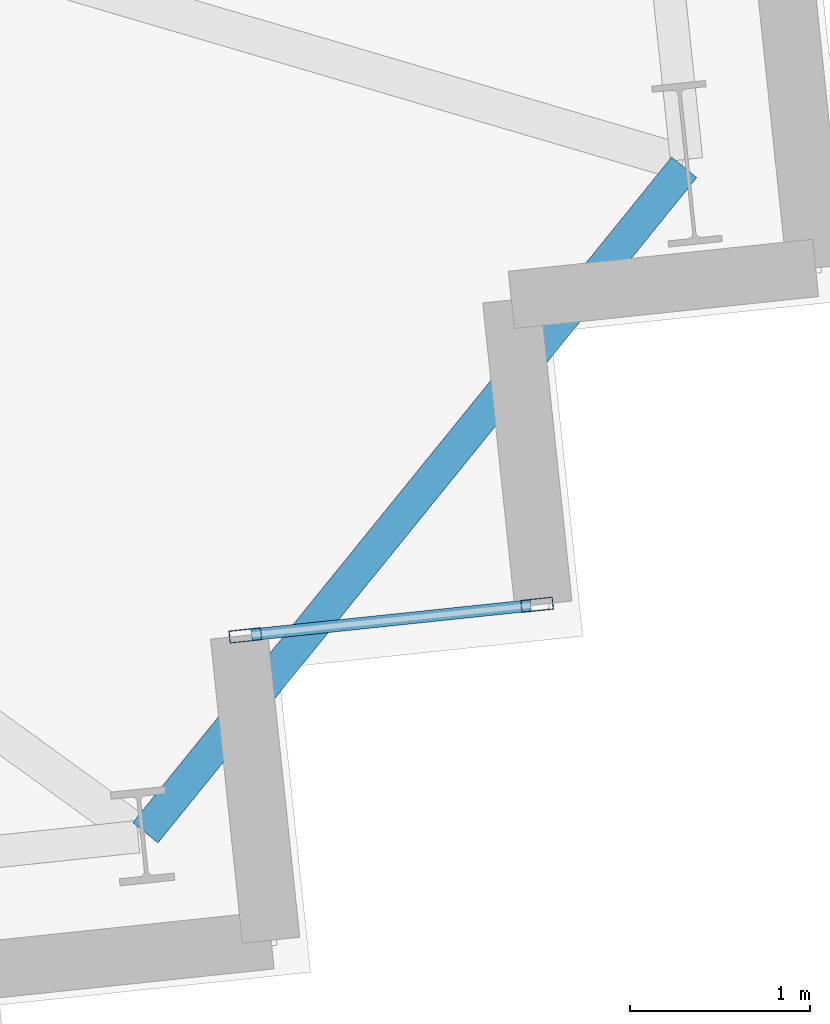
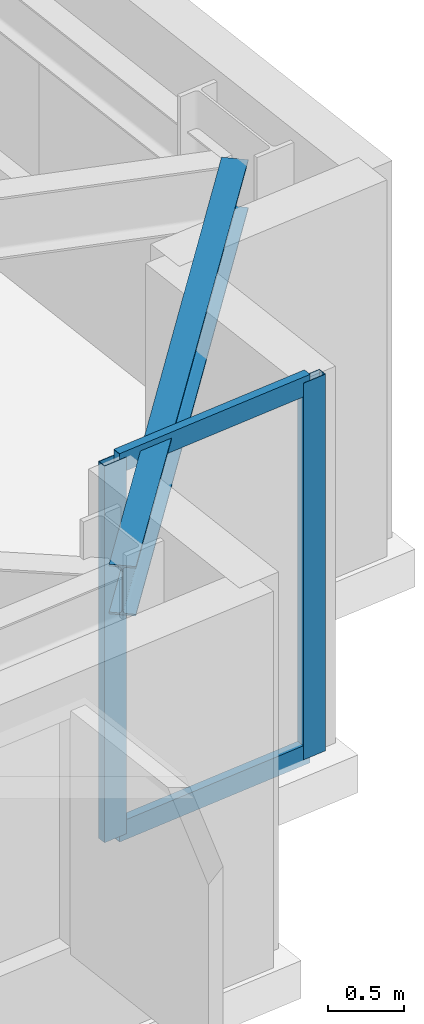
# One storey, part 10 of 23: 4 members, 1 beam, 1 element without a shape of its own.
"""IFC4 building model written with IfcOpenShell, lengths in metres."""

import ifcopenshell
import ifcopenshell.guid

model = None  # the IFC model being written
_history = None  # IfcOwnerHistory: only IFC2X3 demands one
_inside = {}  # id of a spatial element -> (the spatial element, [elements in it])
_under = {}  # id of a project, library or spatial element -> (it, [spatial elements below it])
_declared = {}  # id of a project -> (the project, [libraries it declares])
_typed = {}  # id of a type object -> (the type object, [elements of that type])
_made_of = {}  # id of a material, layer set ... -> (it, [elements and type objects made of it])


def new_model(schema):
    """Start an empty IFC model of exactly this schema.

    Asked for "IFC4X3", IfcOpenShell would pick the latest addendum, in which some entities
    have other attributes; the version numbers below select the first issue.
    IFC2X3 requires an IfcOwnerHistory on every rooted entity: one is made here for all.
    """
    global model, _history
    if schema == "IFC4X3":
        model = ifcopenshell.file(schema_version=(4, 3, 0, 0))
    else:
        model = ifcopenshell.file(schema=schema)
    _inside.clear()
    _under.clear()
    _declared.clear()
    _typed.clear()
    _made_of.clear()
    _history = None
    if model.schema == "IFC2X3":
        org = make("IfcOrganization", Name="unknown")
        user = make(
            "IfcPersonAndOrganization",
            ThePerson=make("IfcPerson", FamilyName="unknown"),
            TheOrganization=org,
        )
        app = make(
            "IfcApplication",
            ApplicationDeveloper=org,
            Version="unknown",
            ApplicationFullName="unknown",
            ApplicationIdentifier="unknown",
        )
        _history = make(
            "IfcOwnerHistory",
            OwningUser=user,
            OwningApplication=app,
            ChangeAction="ADDED",
            CreationDate=0,
        )
    return model


def make(cls, **values):
    """One entity of the class cls with the attributes given. An attribute that is None is left unset."""
    return model.create_entity(
        cls, **{name: value for name, value in values.items() if value is not None}
    )


def rooted(cls, **values):
    """An entity with a GlobalId (a new one), such as an element, a storey or a relation."""
    return make(cls, GlobalId=ifcopenshell.guid.new(), OwnerHistory=_history, **values)


def si_unit(unit_type, name, prefix=None):
    """IfcSIUnit, for example si_unit("LENGTHUNIT", "METRE", prefix="MILLI")."""
    return make("IfcSIUnit", UnitType=unit_type, Prefix=prefix, Name=name)


def assignment(units):
    """IfcUnitAssignment: the units of a project."""
    return None if units is None else make("IfcUnitAssignment", Units=units)


def point(xyz):
    """IfcCartesianPoint."""
    return None if xyz is None else make("IfcCartesianPoint", Coordinates=xyz)


def direction(xyz):
    """IfcDirection."""
    return None if xyz is None else make("IfcDirection", DirectionRatios=xyz)


def frame(location, z_axis=None, x_axis=None):
    """IfcAxis2Placement3D, a coordinate frame: its origin and axes. An axis left out is left unset."""
    return make(
        "IfcAxis2Placement3D",
        Location=point(location),
        Axis=direction(z_axis),
        RefDirection=direction(x_axis),
    )


def frame_2d(location, x_axis=None):
    """IfcAxis2Placement2D, a coordinate frame in the plane: its origin and x axis."""
    return make(
        "IfcAxis2Placement2D", Location=point(location), RefDirection=direction(x_axis)
    )


def origin():
    """The frame at (0, 0, 0) with its axes left unset."""
    return frame((0.0, 0.0, 0.0))


def origin_2d():
    """The frame at (0, 0) in the plane with its x axis left unset."""
    return frame_2d((0.0, 0.0))


def place(relative_to, where):
    """IfcLocalPlacement: puts the frame where relative to a parent placement (None: the world)."""
    return make(
        "IfcLocalPlacement", PlacementRelTo=relative_to, RelativePlacement=where
    )


def context(
    kind, dimensions, precision=None, world=None, true_north=None, identifier=None
):
    """IfcGeometricRepresentationContext, for example the 3D "Model" context."""
    return make(
        "IfcGeometricRepresentationContext",
        ContextIdentifier=identifier,
        ContextType=kind,
        CoordinateSpaceDimension=dimensions,
        Precision=precision,
        WorldCoordinateSystem=world,
        TrueNorth=true_north,
    )


def subcontext(parent, identifier, kind, view, scale=None):
    """IfcGeometricRepresentationSubContext, for example "Body" below "Model"."""
    return make(
        "IfcGeometricRepresentationSubContext",
        ContextIdentifier=identifier,
        ContextType=kind,
        ParentContext=parent,
        TargetScale=scale,
        TargetView=view,
    )


def project(units=None, contexts=None):
    """IfcProject with its units and contexts."""
    return rooted(
        "IfcProject",
        Name="project",
        RepresentationContexts=contexts,
        UnitsInContext=assignment(units),
    )


def spatial(cls, under=None, at=None, **own):
    """A site, building, storey or space (cls), placed at a placement, below another one or the project."""
    s = rooted(cls, ObjectPlacement=at, **own)
    if under is not None:
        _under.setdefault(under.id(), (under, []))[1].append(s)
    return s


def profile(cls, at=None, kind="AREA", **sizes):
    """A parametric profile (cls). Its sizes go by their IFC names, for example OverallWidth=200.0."""
    return make(cls, ProfileType=kind, Position=at, **sizes)


def hollow_rectangle(**sizes):
    """IfcRectangleHollowProfileDef."""
    return profile("IfcRectangleHollowProfileDef", **sizes)


def i_section(**sizes):
    """IfcIShapeProfileDef."""
    return profile("IfcIShapeProfileDef", **sizes)


def extrude(swept, where, along, depth):
    """IfcExtrudedAreaSolid: the profile swept, set in the frame where, extruded along a direction by depth."""
    return make(
        "IfcExtrudedAreaSolid",
        SweptArea=swept,
        Position=where,
        ExtrudedDirection=direction(along),
        Depth=depth,
    )


def shape(context_of_items, identifier, shape_type, items):
    """IfcShapeRepresentation: the items that make up one representation, for example the "Body"."""
    return make(
        "IfcShapeRepresentation",
        ContextOfItems=context_of_items,
        RepresentationIdentifier=identifier,
        RepresentationType=shape_type,
        Items=items,
    )


def material(Name=None, Category=None):
    """IfcMaterial."""
    return make("IfcMaterial", Name=Name, Category=Category)


def layer(
    of_material, thickness, ventilated=None, Name=None, Category=None, Priority=None
):
    """IfcMaterialLayer: one layer of a wall or slab, of a material (None: an air gap)."""
    return make(
        "IfcMaterialLayer",
        Material=of_material,
        LayerThickness=thickness,
        IsVentilated=ventilated,
        Name=Name,
        Category=Category,
        Priority=Priority,
    )


def layer_set(layers, Name=None):
    """IfcMaterialLayerSet."""
    return make("IfcMaterialLayerSet", MaterialLayers=layers, LayerSetName=Name)


def material_profile(
    of_material, cross_section, Name=None, Category=None, Priority=None
):
    """IfcMaterialProfile: a cross section and its material."""
    return make(
        "IfcMaterialProfile",
        Name=Name,
        Material=of_material,
        Profile=cross_section,
        Priority=Priority,
        Category=Category,
    )


def profile_set(profiles, Name=None, composite=None):
    """IfcMaterialProfileSet."""
    return make(
        "IfcMaterialProfileSet",
        Name=Name,
        MaterialProfiles=profiles,
        CompositeProfile=composite,
    )


def made_of(thing, what):
    """Note that an element or type object is made of a material, layer set ...; save() writes the relation."""
    if what is not None:
        _made_of.setdefault(what.id(), (what, []))[1].append(thing)
    return thing


def type_object(cls, material=None, **own):
    """A type object (cls), such as IfcWallType, which elements share."""
    return made_of(rooted(cls, **own), material)


def element(
    cls,
    number,
    at=None,
    inside=None,
    cuts=None,
    type_object=None,
    material=None,
    context=None,
    identifier="Body",
    shape_type=None,
    held_by="IfcProductDefinitionShape",
    body=None,
    shapes=None,
    **own,
):
    """One element of the class cls, such as IfcWall. Its Tag is "e" and its number.

    at: its placement. inside: the storey or other place that contains it. cuts: it is an
    opening in that element (IfcRelVoidsElement). A single representation is given by context,
    identifier, shape_type and body (its items); several are given by shapes. held_by: the class
    of the entity that holds the representations. save() writes the other relations.
    """
    e = rooted(cls, Tag="e%d" % number, ObjectPlacement=at, **own)
    if body is not None:
        shapes = [shape(context, identifier, shape_type, body)]
    if shapes is not None:
        e.Representation = make(held_by, Representations=shapes)
    if inside is not None:
        _inside.setdefault(inside.id(), (inside, []))[1].append(e)
    if cuts is not None:
        rooted(
            "IfcRelVoidsElement", RelatingBuildingElement=cuts, RelatedOpeningElement=e
        )
    if type_object is not None:
        _typed.setdefault(type_object.id(), (type_object, []))[1].append(e)
    return made_of(e, material)


def aggregate(whole, parts):
    """IfcRelAggregates: a whole, such as a stair, and the parts it consists of."""
    return rooted("IfcRelAggregates", RelatingObject=whole, RelatedObjects=parts)


def save(model, path):
    """Write the relations noted so far, then the file.

    IfcRelAggregates (storeys below a building ...), IfcRelContainedInSpatialStructure (elements
    in a storey), IfcRelDefinesByType, IfcRelAssociatesMaterial and IfcRelDeclares: one each for
    every whole, place, type object, material and project.
    """
    for whole, parts in _under.values():
        aggregate(whole, parts)
    for where, things in _inside.values():
        rooted(
            "IfcRelContainedInSpatialStructure",
            RelatedElements=things,
            RelatingStructure=where,
        )
    for kind, things in _typed.values():
        rooted("IfcRelDefinesByType", RelatedObjects=things, RelatingType=kind)
    for what, things in _made_of.values():
        rooted("IfcRelAssociatesMaterial", RelatedObjects=things, RelatingMaterial=what)
    for by, libraries in _declared.values():
        rooted("IfcRelDeclares", RelatingContext=by, RelatedDefinitions=libraries)
    model.write(path)


model = new_model("IFC4")

# Units and contexts
model_context = context("Model", 3, precision=1e-05, world=origin(), true_north=direction((0.0, 1.0)))
body_context = subcontext(model_context, "Body", "Model", "MODEL_VIEW")
ifc_project = project(units=[si_unit("LENGTHUNIT", "METRE"), si_unit("AREAUNIT", "SQUARE_METRE"), si_unit("VOLUMEUNIT", "CUBIC_METRE"), si_unit("PLANEANGLEUNIT", "RADIAN"), si_unit("MASSUNIT", "GRAM", prefix="KILO")], contexts=[model_context])

# Site, building, storey
site_placement = place(None, origin())
site = spatial("IfcSite", under=ifc_project, at=site_placement, CompositionType="ELEMENT")
building_placement = place(site_placement, origin())
building = spatial("IfcBuilding", under=site, at=building_placement, Name="Qobustan Lattice House", CompositionType="ELEMENT")
storey_placement = place(building_placement, frame((0.0, 0.0, 95.75)))
storey = spatial("IfcBuildingStorey", under=building, at=storey_placement, Name="L26", CompositionType="ELEMENT", Elevation=95.75)

# Beam
ifc_material_1 = material(Name="Steel S355", Category="steel")
ifc_material_profile_1 = material_profile(ifc_material_1, i_section(OverallWidth=0.179931640625, OverallDepth=0.39990234375, WebThickness=0.008544921875, FlangeThickness=0.013427734375, FilletRadius=0.02099609375, at=origin_2d()), Name="IPE400")
ifc_profile_set_1 = profile_set([ifc_material_profile_1], Name="Steel S355")
beam_type = type_object("IfcBeamType", Name="BM-SPD-IPE400", PredefinedType="SPANDREL", material=ifc_profile_set_1)
beam_placement = place(storey_placement, frame((29.608642578125, -13.3876953125, 2.844970703125), z_axis=(0.629351720588, 0.777120590252, 0.0), x_axis=(-0.777120590252, 0.629351720588, 0.0)))
element("IfcBeam", 1, at=beam_placement, inside=storey, type_object=beam_type, Name="L26 perimeter spandrel S7-E1", PredefinedType="SPANDREL", context=body_context, shape_type="SweptSolid", body=[
    extrude(i_section(OverallWidth=0.179931640625, OverallDepth=0.39990234375, WebThickness=0.008544921875, FlangeThickness=0.013427734375, FilletRadius=0.02099609375, at=origin_2d()), origin(), (0.0, 0.0, 1.0), 4.75830078125),
])

# Curtain wall, members
ifc_material_2 = material(Name="Anodised aluminium and low-E glazing", Category="aluminium")
ifc_layer = layer(ifc_material_2, 0.219970703125)
ifc_layer_set = layer_set([ifc_layer], Name="Anodised aluminium and low-E glazing")
curtain_wall_type = type_object("IfcCurtainWallType", Name="CW-FAC-01", PredefinedType="USERDEFINED", material=ifc_layer_set)
curtain_wall_placement = place(storey_placement, origin())
curtain_wall = element("IfcCurtainWall", 2, at=curtain_wall_placement, inside=storey, type_object=curtain_wall_type, Name="L26 serrated corner faceted glazing 18", ObjectType="CURTAIN WALL", PredefinedType="USERDEFINED")
ifc_material_3 = material(Name="Anodised aluminium EN AW-6063 T6", Category="aluminium")
ifc_material_profile_2 = material_profile(ifc_material_3, hollow_rectangle(XDim=0.070068359375, YDim=0.179931640625, WallThickness=0.00439453125, at=origin_2d()), Name="CWM-180x70")
ifc_profile_set_2 = profile_set([ifc_material_profile_2], Name="Anodised aluminium EN AW-6063 T6")
member_type_1 = type_object("IfcMemberType", Name="CWM-STD-180", PredefinedType="MULLION", material=ifc_profile_set_2)
member_1_placement = place(storey_placement, frame((31.785400390625, -12.12109375, 0.0), z_axis=(0.0, 0.0, 1.0), x_axis=(0.104528620025, -0.994521878892, 0.0)))
member_1 = element("IfcMember", 3, at=member_1_placement, type_object=member_type_1, Name="CW-F1 mullion 1", PredefinedType="MULLION", context=body_context, shape_type="SweptSolid", body=[
    extrude(hollow_rectangle(XDim=0.070068359375, YDim=0.179931640625, WallThickness=0.00439453125, at=origin_2d()), origin(), (0.0, 0.0, 1.0), 3.044921875),
])
member_2_placement = place(storey_placement, frame((30.164306640625, -12.29150390625, 0.0), z_axis=(0.0, 0.0, 1.0), x_axis=(0.104528620025, -0.994521878892, 0.0)))
member_2 = element("IfcMember", 4, at=member_2_placement, type_object=member_type_1, Name="CW-F1 mullion 2", PredefinedType="MULLION", context=body_context, shape_type="SweptSolid", body=[
    extrude(hollow_rectangle(XDim=0.070068359375, YDim=0.179931640625, WallThickness=0.00439453125, at=origin_2d()), origin(), (0.0, 0.0, 1.0), 3.044921875),
])
ifc_material_4 = material(Name="Anodised aluminium EN AW-6063 T6", Category="aluminium")
ifc_material_profile_3 = material_profile(ifc_material_4, hollow_rectangle(XDim=0.06494140625, YDim=0.159912109375, WallThickness=0.00390625, at=origin_2d()), Name="CWT-160x65")
ifc_profile_set_3 = profile_set([ifc_material_profile_3], Name="Anodised aluminium EN AW-6063 T6")
member_type_2 = type_object("IfcMemberType", Name="CWT-HOR-160", PredefinedType="USERDEFINED", material=ifc_profile_set_3)
member_3_placement = place(storey_placement, frame((31.750732421875, -12.124755859375, 0.032470703125), z_axis=(-0.994520877159, -0.104538150424, 0.0), x_axis=(0.104538150424, -0.994520877159, 0.0)))
member_3 = element("IfcMember", 5, at=member_3_placement, type_object=member_type_2, Name="CW-F1 transom 1.1", ObjectType="TRANSOM", PredefinedType="USERDEFINED", context=body_context, shape_type="SweptSolid", body=[
    extrude(hollow_rectangle(XDim=0.06494140625, YDim=0.159912109375, WallThickness=0.00390625, at=origin_2d()), origin(), (0.0, 0.0, 1.0), 1.56005859375),
])
member_4_placement = place(storey_placement, frame((31.750732421875, -12.124755859375, 3.012451171875), z_axis=(-0.994520877159, -0.104538150424, 0.0), x_axis=(0.104538150424, -0.994520877159, 0.0)))
member_4 = element("IfcMember", 6, at=member_4_placement, type_object=member_type_2, Name="CW-F1 transom 1.2", ObjectType="TRANSOM", PredefinedType="USERDEFINED", context=body_context, shape_type="SweptSolid", body=[
    extrude(hollow_rectangle(XDim=0.06494140625, YDim=0.159912109375, WallThickness=0.00390625, at=origin_2d()), origin(), (0.0, 0.0, 1.0), 1.56005859375),
])
aggregate(curtain_wall, [member_1, member_2, member_3, member_4])

save(model, "model.ifc")
